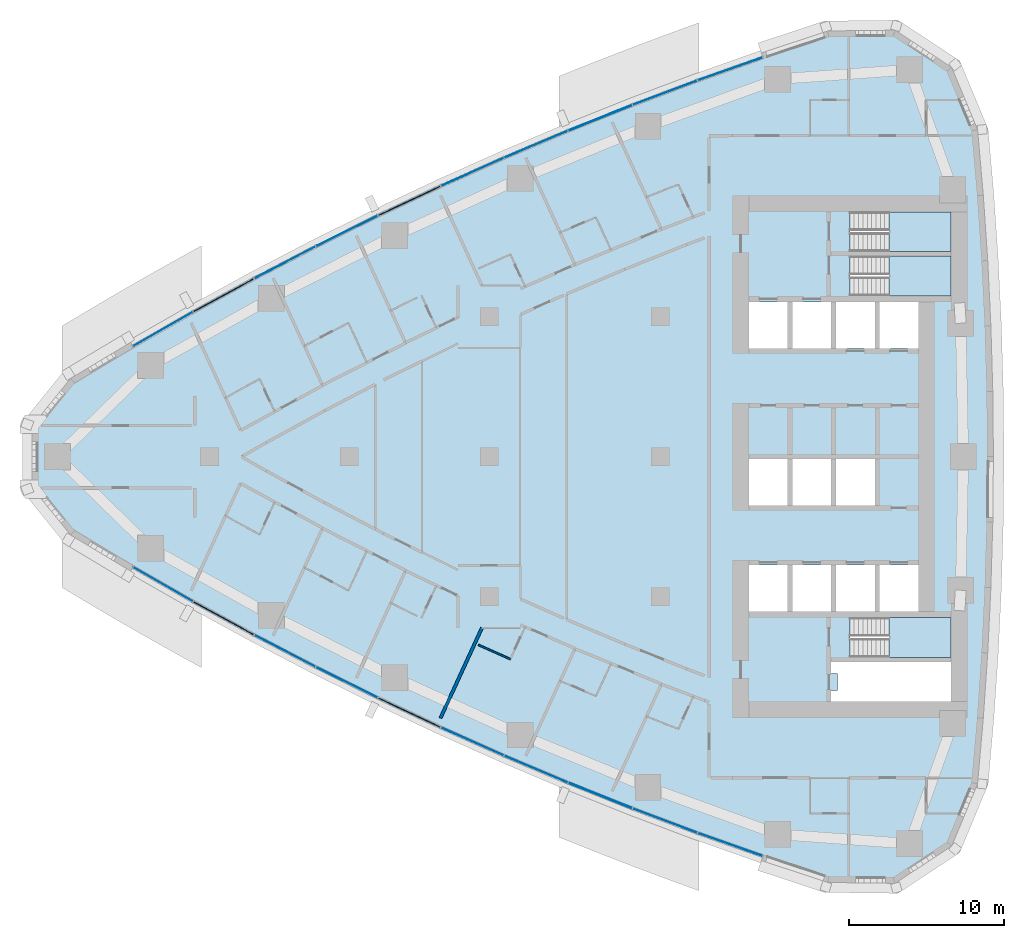
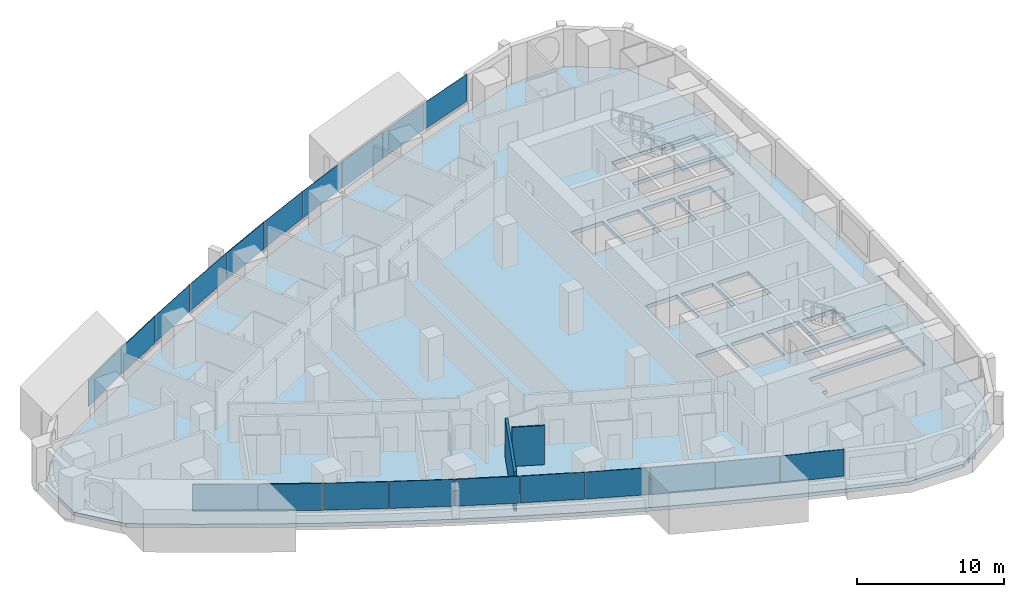
# One storey, part 7 of 17: 20 plates, 4 slabs, 2 walls, 1 opening, 13 elements without a shape of their own.
"""IFC4 building model written with IfcOpenShell, lengths in metres."""

from ifc_helpers import new_model, si_unit, direction, frame, frame_2d, origin, origin_2d, place, context, subcontext, project, spatial, polyline, rectangle, outline, extrude, material, layer, layer_set, type_object, element, aggregate, save


model = new_model("IFC4")

# Units and contexts
model_context = context("Model", 3, precision=1e-05, world=origin(), true_north=direction((0.0, 1.0)))
body_context = subcontext(model_context, "Body", "Model", "MODEL_VIEW")
ifc_project = project(units=[si_unit("LENGTHUNIT", "METRE"), si_unit("AREAUNIT", "SQUARE_METRE"), si_unit("VOLUMEUNIT", "CUBIC_METRE"), si_unit("PLANEANGLEUNIT", "RADIAN"), si_unit("MASSUNIT", "GRAM", prefix="KILO")], contexts=[model_context])

# Site, building, storey
site_placement = place(None, origin())
site = spatial("IfcSite", under=ifc_project, at=site_placement, CompositionType="ELEMENT")
building_placement = place(site_placement, origin())
building = spatial("IfcBuilding", under=site, at=building_placement, Name="Ostrand Prow Hotel Tower", CompositionType="ELEMENT")
storey_placement = place(building_placement, frame((0.0, 0.0, 109.75)))
storey = spatial("IfcBuildingStorey", under=building, at=storey_placement, Name="L26", CompositionType="ELEMENT", Elevation=109.75)

# Curtain wall, plate
ifc_material_1 = material(Name="Insulated glass in bronze anodised frame", Category="glass")
ifc_layer_1 = layer(ifc_material_1, 0.199951171875)
ifc_layer_set_1 = layer_set([ifc_layer_1], Name="Insulated glass in bronze anodised frame")
curtain_wall_type = type_object("IfcCurtainWallType", Name="Strip curtain wall, fritted glass over bronze spandrel", PredefinedType="NOTDEFINED", material=ifc_layer_set_1)
curtain_wall_1_placement = place(storey_placement, origin())
curtain_wall_1 = element("IfcCurtainWall", 1, at=curtain_wall_1_placement, inside=storey, type_object=curtain_wall_type, Name="CW1 run CWS1", PredefinedType="NOTDEFINED")
ifc_material_2 = material(Name="Ceramic-fritted glass", Category="glass")
ifc_layer_2 = layer(ifc_material_2, 0.031982421875)
ifc_layer_set_2 = layer_set([ifc_layer_2], Name="Ceramic-fritted glass")
plate_type_1 = type_object("IfcPlateType", Name="Dot-fritted ceramic glass unit 32 mm", PredefinedType="CURTAIN_PANEL", material=ifc_layer_set_2)
plate_1_placement = place(storey_placement, frame((13.013916015625, -8.2099609375, 1.02001953125), z_axis=(0.0, 0.0, 1.0), x_axis=(0.867684775301, -0.497114806368, 0.0)))
plate_1 = element("IfcPlate", 2, at=plate_1_placement, type_object=plate_type_1, Name="CW1 PN-D panel 1.2", PredefinedType="CURTAIN_PANEL", context=body_context, shape_type="SweptSolid", body=[
    extrude(rectangle(XDim=4.406005859375, YDim=0.031982421875, at=origin_2d()), origin(), (0.0, 0.0, 1.0), 2.22998046875),
])

# Curtain wall, plates
curtain_wall_2_placement = place(storey_placement, origin())
curtain_wall_2 = element("IfcCurtainWall", 3, at=curtain_wall_2_placement, inside=storey, type_object=curtain_wall_type, Name="CW1 run CWS2", PredefinedType="NOTDEFINED")
plate_2_placement = place(storey_placement, frame((20.8505859375, -12.49365234375, 1.02001953125), z_axis=(0.0, 0.0, 1.0), x_axis=(0.886896367661, -0.461968432937, 0.0)))
plate_2 = element("IfcPlate", 4, at=plate_2_placement, type_object=plate_type_1, Name="CW1 PN-D panel 1.2", PredefinedType="CURTAIN_PANEL", context=body_context, shape_type="SweptSolid", body=[
    extrude(rectangle(XDim=4.406005859375, YDim=0.031982421875, at=origin_2d()), origin(), (0.0, 0.0, 1.0), 2.22998046875),
])
plate_3_placement = place(storey_placement, frame((24.831787109375, -14.516845703125, 1.02001953125), z_axis=(0.0, 0.0, 1.0), x_axis=(0.895970803653, -0.44411295748, 0.0)))
plate_3 = element("IfcPlate", 5, at=plate_3_placement, type_object=plate_type_1, Name="CW1 PN-D panel 2.2", PredefinedType="CURTAIN_PANEL", context=body_context, shape_type="SweptSolid", body=[
    extrude(rectangle(XDim=4.406005859375, YDim=0.031982421875, at=origin_2d()), origin(), (0.0, 0.0, 1.0), 2.22998046875),
])
aggregate(curtain_wall_2, [plate_2, plate_3])

# Curtain wall, plate
curtain_wall_3_placement = place(storey_placement, origin())
curtain_wall_3 = element("IfcCurtainWall", 6, at=curtain_wall_3_placement, inside=storey, type_object=curtain_wall_type, Name="CW1 run CWS3", PredefinedType="NOTDEFINED")
plate_4_placement = place(storey_placement, frame((32.911865234375, -18.322265625, 1.02001953125), z_axis=(0.0, 0.0, 1.0), x_axis=(0.913037887435, -0.407874755419, 0.0)))
plate_4 = element("IfcPlate", 7, at=plate_4_placement, type_object=plate_type_1, Name="CW1 PN-D panel 2.2", PredefinedType="CURTAIN_PANEL", context=body_context, shape_type="SweptSolid", body=[
    extrude(rectangle(XDim=4.406005859375, YDim=0.031982421875, at=origin_2d()), origin(), (0.0, 0.0, 1.0), 2.22998046875),
])

curtain_wall_4_placement = place(storey_placement, origin())
curtain_wall_4 = element("IfcCurtainWall", 8, at=curtain_wall_4_placement, inside=storey, type_object=curtain_wall_type, Name="CW1 run CWS4", PredefinedType="NOTDEFINED")
plate_5_placement = place(storey_placement, frame((37.007080078125, -20.102783203125, 1.02001953125), z_axis=(0.0, 0.0, 1.0), x_axis=(0.921023688536, -0.389506566255, 0.0)))
plate_5 = element("IfcPlate", 9, at=plate_5_placement, type_object=plate_type_1, Name="CW1 PN-D panel 1.2", PredefinedType="CURTAIN_PANEL", context=body_context, shape_type="SweptSolid", body=[
    extrude(rectangle(XDim=4.406005859375, YDim=0.031982421875, at=origin_2d()), origin(), (0.0, 0.0, 1.0), 2.22998046875),
])

# Curtain wall, plates
curtain_wall_5_placement = place(storey_placement, origin())
curtain_wall_5 = element("IfcCurtainWall", 10, at=curtain_wall_5_placement, inside=storey, type_object=curtain_wall_type, Name="CW1 run CWS5", PredefinedType="NOTDEFINED")
plate_6_placement = place(storey_placement, frame((45.301025390625, -23.416015625, 1.02001953125), z_axis=(0.0, 0.0, 1.0), x_axis=(0.935883792387, -0.35230885193, 0.0)))
plate_6 = element("IfcPlate", 11, at=plate_6_placement, type_object=plate_type_1, Name="CW1 PN-D panel 1.2", PredefinedType="CURTAIN_PANEL", context=body_context, shape_type="SweptSolid", body=[
    extrude(rectangle(XDim=4.406005859375, YDim=0.031982421875, at=origin_2d()), origin(), (0.0, 0.0, 1.0), 2.22998046875),
])
plate_7_placement = place(storey_placement, frame((49.49609375, -24.947509765625, 1.02001953125), z_axis=(0.0, 0.0, 1.0), x_axis=(0.942751551748, -0.333495894542, 0.0)))
plate_7 = element("IfcPlate", 12, at=plate_7_placement, type_object=plate_type_1, Name="CW1 PN-D panel 2.2", PredefinedType="CURTAIN_PANEL", context=body_context, shape_type="SweptSolid", body=[
    extrude(rectangle(XDim=4.406005859375, YDim=0.031982421875, at=origin_2d()), origin(), (0.0, 0.0, 1.0), 2.22998046875),
])
aggregate(curtain_wall_5, [plate_6, plate_7])

curtain_wall_6_placement = place(storey_placement, origin())
curtain_wall_6 = element("IfcCurtainWall", 13, at=curtain_wall_6_placement, inside=storey, type_object=curtain_wall_type, Name="CW1 run CWN1", PredefinedType="NOTDEFINED")
plate_8_placement = place(storey_placement, frame((49.49609375, 24.947509765625, 1.02001953125), z_axis=(0.0, 0.0, 1.0), x_axis=(-0.942751551748, -0.333495894542, 0.0)))
plate_8 = element("IfcPlate", 14, at=plate_8_placement, type_object=plate_type_1, Name="CW1 PN-D panel 1.2", PredefinedType="CURTAIN_PANEL", context=body_context, shape_type="SweptSolid", body=[
    extrude(rectangle(XDim=4.406005859375, YDim=0.031982421875, at=origin_2d()), origin(), (0.0, 0.0, 1.0), 2.22998046875),
])
plate_9_placement = place(storey_placement, frame((45.301025390625, 23.416015625, 1.02001953125), z_axis=(0.0, 0.0, 1.0), x_axis=(-0.935883792387, -0.35230885193, 0.0)))
plate_9 = element("IfcPlate", 15, at=plate_9_placement, type_object=plate_type_1, Name="CW1 PN-D panel 2.2", PredefinedType="CURTAIN_PANEL", context=body_context, shape_type="SweptSolid", body=[
    extrude(rectangle(XDim=4.406005859375, YDim=0.031982421875, at=origin_2d()), origin(), (0.0, 0.0, 1.0), 2.22998046875),
])
aggregate(curtain_wall_6, [plate_8, plate_9])

# Curtain wall, plate
curtain_wall_7_placement = place(storey_placement, origin())
curtain_wall_7 = element("IfcCurtainWall", 16, at=curtain_wall_7_placement, inside=storey, type_object=curtain_wall_type, Name="CW1 run CWN2", PredefinedType="NOTDEFINED")
plate_10_placement = place(storey_placement, frame((37.007080078125, 20.102783203125, 1.02001953125), z_axis=(0.0, 0.0, 1.0), x_axis=(-0.921023688536, -0.389506566255, 0.0)))
plate_10 = element("IfcPlate", 17, at=plate_10_placement, type_object=plate_type_1, Name="CW1 PN-D panel 2.2", PredefinedType="CURTAIN_PANEL", context=body_context, shape_type="SweptSolid", body=[
    extrude(rectangle(XDim=4.406005859375, YDim=0.031982421875, at=origin_2d()), origin(), (0.0, 0.0, 1.0), 2.22998046875),
])

curtain_wall_8_placement = place(storey_placement, origin())
curtain_wall_8 = element("IfcCurtainWall", 18, at=curtain_wall_8_placement, inside=storey, type_object=curtain_wall_type, Name="CW1 run CWN3", PredefinedType="NOTDEFINED")
plate_11_placement = place(storey_placement, frame((32.911865234375, 18.322265625, 1.02001953125), z_axis=(0.0, 0.0, 1.0), x_axis=(-0.913037887435, -0.407874755419, 0.0)))
plate_11 = element("IfcPlate", 19, at=plate_11_placement, type_object=plate_type_1, Name="CW1 PN-D panel 1.2", PredefinedType="CURTAIN_PANEL", context=body_context, shape_type="SweptSolid", body=[
    extrude(rectangle(XDim=4.406005859375, YDim=0.031982421875, at=origin_2d()), origin(), (0.0, 0.0, 1.0), 2.22998046875),
])

# Curtain wall, plates
curtain_wall_9_placement = place(storey_placement, origin())
curtain_wall_9 = element("IfcCurtainWall", 20, at=curtain_wall_9_placement, inside=storey, type_object=curtain_wall_type, Name="CW1 run CWN4", PredefinedType="NOTDEFINED")
plate_12_placement = place(storey_placement, frame((24.831787109375, 14.516845703125, 1.02001953125), z_axis=(0.0, 0.0, 1.0), x_axis=(-0.895970803653, -0.44411295748, 0.0)))
plate_12 = element("IfcPlate", 21, at=plate_12_placement, type_object=plate_type_1, Name="CW1 PN-D panel 1.2", PredefinedType="CURTAIN_PANEL", context=body_context, shape_type="SweptSolid", body=[
    extrude(rectangle(XDim=4.406005859375, YDim=0.031982421875, at=origin_2d()), origin(), (0.0, 0.0, 1.0), 2.22998046875),
])
plate_13_placement = place(storey_placement, frame((20.8505859375, 12.49365234375, 1.02001953125), z_axis=(0.0, 0.0, 1.0), x_axis=(-0.886896367661, -0.461968432937, 0.0)))
plate_13 = element("IfcPlate", 22, at=plate_13_placement, type_object=plate_type_1, Name="CW1 PN-D panel 2.2", PredefinedType="CURTAIN_PANEL", context=body_context, shape_type="SweptSolid", body=[
    extrude(rectangle(XDim=4.406005859375, YDim=0.031982421875, at=origin_2d()), origin(), (0.0, 0.0, 1.0), 2.22998046875),
])
aggregate(curtain_wall_9, [plate_12, plate_13])

# Curtain wall, plate
curtain_wall_10_placement = place(storey_placement, origin())
curtain_wall_10 = element("IfcCurtainWall", 23, at=curtain_wall_10_placement, inside=storey, type_object=curtain_wall_type, Name="CW1 run CWN5", PredefinedType="NOTDEFINED")
plate_14_placement = place(storey_placement, frame((13.013916015625, 8.2099609375, 1.02001953125), z_axis=(0.0, 0.0, 1.0), x_axis=(-0.867684775301, -0.497114806368, 0.0)))
plate_14 = element("IfcPlate", 24, at=plate_14_placement, type_object=plate_type_1, Name="CW1 PN-D panel 2.2", PredefinedType="CURTAIN_PANEL", context=body_context, shape_type="SweptSolid", body=[
    extrude(rectangle(XDim=4.406005859375, YDim=0.031982421875, at=origin_2d()), origin(), (0.0, 0.0, 1.0), 2.22998046875),
])

# Plate
ifc_material_3 = material(Name="Fritted glass in bronze vent frame", Category="glass")
ifc_layer_3 = layer(ifc_material_3, 0.06005859375)
ifc_layer_set_3 = layer_set([ifc_layer_3], Name="Fritted glass in bronze vent frame")
plate_type_2 = type_object("IfcPlateType", Name="Operable vent panel 60 mm", PredefinedType="CURTAIN_PANEL", material=ifc_layer_set_3)
plate_15_placement = place(storey_placement, frame((16.910888671875, -10.39111328125, 1.02001953125), z_axis=(0.0, 0.0, 1.0), x_axis=(0.877466978439, -0.479637052103, 0.0)))
plate_15 = element("IfcPlate", 25, at=plate_15_placement, type_object=plate_type_2, Name="CW1 PN-O panel 2.2", PredefinedType="CURTAIN_PANEL", context=body_context, shape_type="SweptSolid", body=[
    extrude(rectangle(XDim=4.406005859375, YDim=0.06005859375, at=origin_2d()), origin(), (0.0, 0.0, 1.0), 2.22998046875),
])

aggregate(curtain_wall_1, [plate_1, plate_15])

plate_16_placement = place(storey_placement, frame((28.852783203125, -16.4599609375, 1.02001953125), z_axis=(0.0, 0.0, 1.0), x_axis=(0.904685808958, -0.426079320162, 0.0)))
plate_16 = element("IfcPlate", 26, at=plate_16_placement, type_object=plate_type_2, Name="CW1 PN-O panel 1.2", PredefinedType="CURTAIN_PANEL", context=body_context, shape_type="SweptSolid", body=[
    extrude(rectangle(XDim=4.406005859375, YDim=0.06005859375, at=origin_2d()), origin(), (0.0, 0.0, 1.0), 2.22998046875),
])

aggregate(curtain_wall_3, [plate_16, plate_4])

plate_17_placement = place(storey_placement, frame((41.137451171875, -21.801025390625, 1.02001953125), z_axis=(0.0, 0.0, 1.0), x_axis=(0.928640008649, -0.370982121315, 0.0)))
plate_17 = element("IfcPlate", 27, at=plate_17_placement, type_object=plate_type_2, Name="CW1 PN-O panel 2.2", PredefinedType="CURTAIN_PANEL", context=body_context, shape_type="SweptSolid", body=[
    extrude(rectangle(XDim=4.406005859375, YDim=0.06005859375, at=origin_2d()), origin(), (0.0, 0.0, 1.0), 2.22998046875),
])

aggregate(curtain_wall_4, [plate_5, plate_17])

plate_18_placement = place(storey_placement, frame((41.137451171875, 21.801025390625, 1.02001953125), z_axis=(0.0, 0.0, 1.0), x_axis=(-0.928640008649, -0.370982121315, 0.0)))
plate_18 = element("IfcPlate", 28, at=plate_18_placement, type_object=plate_type_2, Name="CW1 PN-O panel 1.2", PredefinedType="CURTAIN_PANEL", context=body_context, shape_type="SweptSolid", body=[
    extrude(rectangle(XDim=4.406005859375, YDim=0.06005859375, at=origin_2d()), origin(), (0.0, 0.0, 1.0), 2.22998046875),
])

aggregate(curtain_wall_7, [plate_18, plate_10])

plate_19_placement = place(storey_placement, frame((28.852783203125, 16.4599609375, 1.02001953125), z_axis=(0.0, 0.0, 1.0), x_axis=(-0.904685808958, -0.426079320162, 0.0)))
plate_19 = element("IfcPlate", 29, at=plate_19_placement, type_object=plate_type_2, Name="CW1 PN-O panel 2.2", PredefinedType="CURTAIN_PANEL", context=body_context, shape_type="SweptSolid", body=[
    extrude(rectangle(XDim=4.406005859375, YDim=0.06005859375, at=origin_2d()), origin(), (0.0, 0.0, 1.0), 2.22998046875),
])

aggregate(curtain_wall_8, [plate_11, plate_19])

plate_20_placement = place(storey_placement, frame((16.910888671875, 10.39111328125, 1.02001953125), z_axis=(0.0, 0.0, 1.0), x_axis=(-0.877466978439, -0.479637052103, 0.0)))
plate_20 = element("IfcPlate", 30, at=plate_20_placement, type_object=plate_type_2, Name="CW1 PN-O panel 1.2", PredefinedType="CURTAIN_PANEL", context=body_context, shape_type="SweptSolid", body=[
    extrude(rectangle(XDim=4.406005859375, YDim=0.06005859375, at=origin_2d()), origin(), (0.0, 0.0, 1.0), 2.22998046875),
])

aggregate(curtain_wall_10, [plate_20, plate_14])

# Slab, opening
ifc_material_4 = material(Name="Concrete C40/50", Category="concrete")
ifc_layer_4 = layer(ifc_material_4, 0.300048828125)
ifc_layer_set_4 = layer_set([ifc_layer_4], Name="Concrete C40/50")
slab_type_1 = type_object("IfcSlabType", Name="PT flat plate 300 C40/50", PredefinedType="FLOOR", material=ifc_layer_set_4)
slab_1_placement = place(storey_placement, frame((0.0, 0.0, -0.300048828125)))
slab_1 = element("IfcSlab", 31, at=slab_1_placement, inside=storey, type_object=slab_type_1, Name="Floor slab L26-1", PredefinedType="FLOOR", context=body_context, shape_type="SweptSolid", body=[
    extrude(outline(polyline([(7.150390625, 4.879638671875), (11.01806640625, 7.19970703125), (14.89501953125, 9.4208984375), (18.81591796875, 11.56396484375), (22.77880859375, 13.628173828125), (26.7822265625, 15.61279296875), (30.82470703125, 17.5166015625), (34.904541015625, 19.339111328125), (39.02001953125, 21.07958984375), (43.16943359375, 22.7373046875), (47.351318359375, 24.311279296875), (51.563720703125, 25.801513671875), (55.839599609375, 27.218505859375), (60.05615234375, 27.271728515625), (63.6103515625, 24.932861328125), (65.2294921875, 21.039306640625), (65.598876953125, 16.81201171875), (65.883544921875, 12.614501953125), (66.087158203125, 8.412353515625), (66.209228515625, 4.206787109375), (66.25, 0.0), (66.209228515625, -4.206787109375), (66.087158203125, -8.412353515625), (65.883544921875, -12.614501953125), (65.598876953125, -16.81201171875), (65.2294921875, -21.039306640625), (63.6103515625, -24.932861328125), (60.05615234375, -27.271728515625), (55.839599609375, -27.218505859375), (51.563720703125, -25.801513671875), (47.351318359375, -24.311279296875), (43.16943359375, -22.7373046875), (39.02001953125, -21.07958984375), (34.904541015625, -19.339111328125), (30.82470703125, -17.5166015625), (26.7822265625, -15.61279296875), (22.77880859375, -13.628173828125), (18.81591796875, -11.56396484375), (14.89501953125, -9.4208984375), (11.01806640625, -7.19970703125), (7.150390625, -4.879638671875), (4.75830078125, -1.923583984375), (4.75830078125, 1.923583984375), (7.150390625, 4.879638671875)]), holes=[polyline([(50.699951171875, 6.949951171875), (53.199951171875, 6.949951171875), (53.199951171875, 9.949951171875), (50.699951171875, 9.949951171875), (50.699951171875, 6.949951171875)]), polyline([(53.5, 6.949951171875), (56.0, 6.949951171875), (56.0, 9.949951171875), (53.5, 9.949951171875), (53.5, 6.949951171875)]), polyline([(56.300048828125, 6.949951171875), (58.800048828125, 6.949951171875), (58.800048828125, 9.949951171875), (56.300048828125, 9.949951171875), (56.300048828125, 6.949951171875)]), polyline([(59.10009765625, 6.949951171875), (61.60009765625, 6.949951171875), (61.60009765625, 9.949951171875), (59.10009765625, 9.949951171875), (59.10009765625, 6.949951171875)]), polyline([(50.699951171875, -3.14990234375), (53.199951171875, -3.14990234375), (53.199951171875, -0.14990234375), (50.699951171875, -0.14990234375), (50.699951171875, -3.14990234375)]), polyline([(53.5, -3.14990234375), (56.0, -3.14990234375), (56.0, -0.14990234375), (53.5, -0.14990234375), (53.5, -3.14990234375)]), polyline([(56.300048828125, -3.14990234375), (58.800048828125, -3.14990234375), (58.800048828125, -0.14990234375), (56.300048828125, -0.14990234375), (56.300048828125, -3.14990234375)]), polyline([(50.699951171875, -9.949951171875), (53.199951171875, -9.949951171875), (53.199951171875, -6.949951171875), (50.699951171875, -6.949951171875), (50.699951171875, -9.949951171875)]), polyline([(53.5, -9.949951171875), (56.0, -9.949951171875), (56.0, -6.949951171875), (53.5, -6.949951171875), (53.5, -9.949951171875)]), polyline([(56.300048828125, -9.949951171875), (58.800048828125, -9.949951171875), (58.800048828125, -6.949951171875), (56.300048828125, -6.949951171875), (56.300048828125, -9.949951171875)]), polyline([(59.10009765625, -9.949951171875), (61.60009765625, -9.949951171875), (61.60009765625, -6.949951171875), (59.10009765625, -6.949951171875), (59.10009765625, -9.949951171875)]), polyline([(57.200927734375, 10.35107421875), (57.200927734375, 12.89892578125), (63.718994140625, 12.89892578125), (63.718994140625, 10.35107421875), (57.200927734375, 10.35107421875)]), polyline([(57.200927734375, 13.200927734375), (57.200927734375, 15.7490234375), (63.718994140625, 15.7490234375), (63.718994140625, 13.200927734375), (57.200927734375, 13.200927734375)]), polyline([(57.200927734375, -12.89892578125), (57.200927734375, -10.35107421875), (63.718994140625, -10.35107421875), (63.718994140625, -12.89892578125), (57.200927734375, -12.89892578125)]), polyline([(56.0, -13.199951171875), (63.719970703125, -13.199951171875), (63.719970703125, -15.75), (56.0, -15.75), (56.0, -15.050048828125), (56.39990234375, -15.050048828125), (56.39990234375, -13.949951171875), (56.0, -13.949951171875), (56.0, -13.199951171875)])]), origin(), (0.0, 0.0, 1.0), 0.300048828125),
])
opening_placement = place(slab_1_placement, origin())
element("IfcOpeningElement", 32, at=opening_placement, cuts=slab_1, Name="Shaft opening 1", PredefinedType="OPENING", context=body_context, shape_type="SweptSolid", body=[
    extrude(outline(polyline([(56.0, -13.199951171875), (63.719970703125, -13.199951171875), (63.719970703125, -15.75), (56.0, -15.75), (56.0, -15.050048828125), (56.39990234375, -15.050048828125), (56.39990234375, -13.949951171875), (56.0, -13.949951171875), (56.0, -13.199951171875)])), origin(), (0.0, 0.0, 1.0), 0.300048828125),
])

# Stair, slab
ifc_material_5 = material(Name="Concrete C40/50", Category="concrete")
stair_type = type_object("IfcStairType", Name="Exit stair 1200 upper zone", PredefinedType="HALF_TURN_STAIR", material=ifc_material_5)
stair_1_placement = place(storey_placement, origin())
stair_1 = element("IfcStair", 33, at=stair_1_placement, inside=storey, type_object=stair_type, Name="L26 ST1C", PredefinedType="HALF_TURN_STAIR")
ifc_material_6 = material(Name="Concrete C40/50", Category="concrete")
ifc_layer_5 = layer(ifc_material_6, 0.199951171875)
ifc_layer_set_5 = layer_set([ifc_layer_5], Name="Concrete C40/50")
slab_type_2 = type_object("IfcSlabType", Name="Stair landing 200 concrete", PredefinedType="LANDING", material=ifc_layer_set_5)
slab_2_placement = place(storey_placement, frame((0.0, 0.0, 1.574951171875)))
slab_2 = element("IfcSlab", 34, at=slab_2_placement, type_object=slab_type_2, Name="ST1C landing 1", PredefinedType="LANDING", context=body_context, shape_type="SweptSolid", body=[
    extrude(outline(polyline([(59.719970703125, 10.35009765625), (63.719970703125, 10.35009765625), (63.719970703125, 12.89990234375), (59.719970703125, 12.89990234375), (59.719970703125, 10.35009765625)])), origin(), (0.0, 0.0, 1.0), 0.199951171875),
])
aggregate(stair_1, [slab_2])

stair_2_placement = place(storey_placement, origin())
stair_2 = element("IfcStair", 35, at=stair_2_placement, inside=storey, type_object=stair_type, Name="L26 ST3C", PredefinedType="HALF_TURN_STAIR")
slab_3_placement = place(storey_placement, frame((0.0, 0.0, 1.574951171875)))
slab_3 = element("IfcSlab", 36, at=slab_3_placement, type_object=slab_type_2, Name="ST3C landing 1", PredefinedType="LANDING", context=body_context, shape_type="SweptSolid", body=[
    extrude(outline(polyline([(59.719970703125, 13.199951171875), (63.719970703125, 13.199951171875), (63.719970703125, 15.75), (59.719970703125, 15.75), (59.719970703125, 13.199951171875)])), origin(), (0.0, 0.0, 1.0), 0.199951171875),
])
aggregate(stair_2, [slab_3])

stair_3_placement = place(storey_placement, origin())
stair_3 = element("IfcStair", 37, at=stair_3_placement, inside=storey, type_object=stair_type, Name="L26 ST2C", PredefinedType="HALF_TURN_STAIR")
slab_4_placement = place(storey_placement, frame((0.0, 0.0, 1.574951171875)))
slab_4 = element("IfcSlab", 38, at=slab_4_placement, type_object=slab_type_2, Name="ST2C landing 1", PredefinedType="LANDING", context=body_context, shape_type="SweptSolid", body=[
    extrude(outline(polyline([(59.719970703125, -12.89990234375), (63.719970703125, -12.89990234375), (63.719970703125, -10.35009765625), (59.719970703125, -10.35009765625), (59.719970703125, -12.89990234375)])), origin(), (0.0, 0.0, 1.0), 0.199951171875),
])
aggregate(stair_3, [slab_4])

# Walls
ifc_material_7 = material(Name="Plasterboard partition")
ifc_layer_6 = layer(ifc_material_7, 0.10009765625)
ifc_layer_set_6 = layer_set([ifc_layer_6], Name="Plasterboard partition")
wall_type_1 = type_object("IfcWallType", Name="Partition 100 bathroom wall", PredefinedType="PARTITIONING", material=ifc_layer_set_6)
wall_1_placement = place(storey_placement, frame((35.35400390625, -13.023193359375, 0.0), z_axis=(0.0, 0.0, 1.0), x_axis=(-0.913060453705, 0.407824236504, 0.0)))
element("IfcWall", 39, at=wall_1_placement, inside=storey, type_object=wall_type_1, Name="BATHROOM WALL", PredefinedType="PARTITIONING", context=body_context, shape_type="SweptSolid", body=[
    extrude(rectangle(XDim=2.2431640625, YDim=0.10009765625, at=frame_2d((1.12158203125, 0.0))), origin(), (0.0, 0.0, 1.0), 3.25),
])
ifc_material_8 = material(Name="Plasterboard partition")
ifc_layer_7 = layer(ifc_material_8, 0.199951171875)
ifc_layer_set_7 = layer_set([ifc_layer_7], Name="Plasterboard partition")
wall_type_2 = type_object("IfcWallType", Name="Partition 200 key partition", PredefinedType="PARTITIONING", material=ifc_layer_set_7)
wall_2_placement = place(storey_placement, frame((30.861083984375, -16.815185546875, 0.0), z_axis=(0.0, 0.0, 1.0), x_axis=(0.417441426461, 0.908703832651, 0.0)))
element("IfcWall", 40, at=wall_2_placement, inside=storey, type_object=wall_type_2, Name="KEY PARTITION", PredefinedType="PARTITIONING", context=body_context, shape_type="SweptSolid", body=[
    extrude(rectangle(XDim=6.3994140625, YDim=0.199951171875, at=frame_2d((3.19970703125, 0.0))), origin(), (0.0, 0.0, 1.0), 3.25),
])

save(model, "model.ifc")
